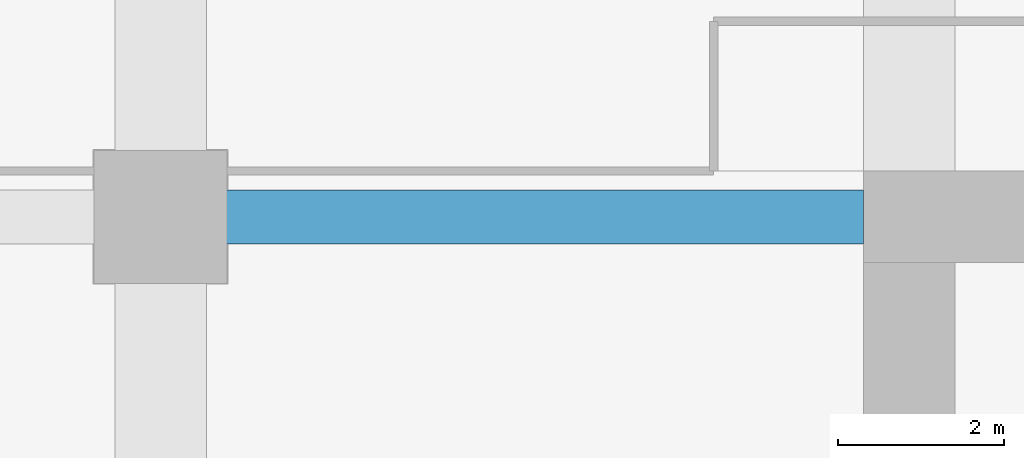
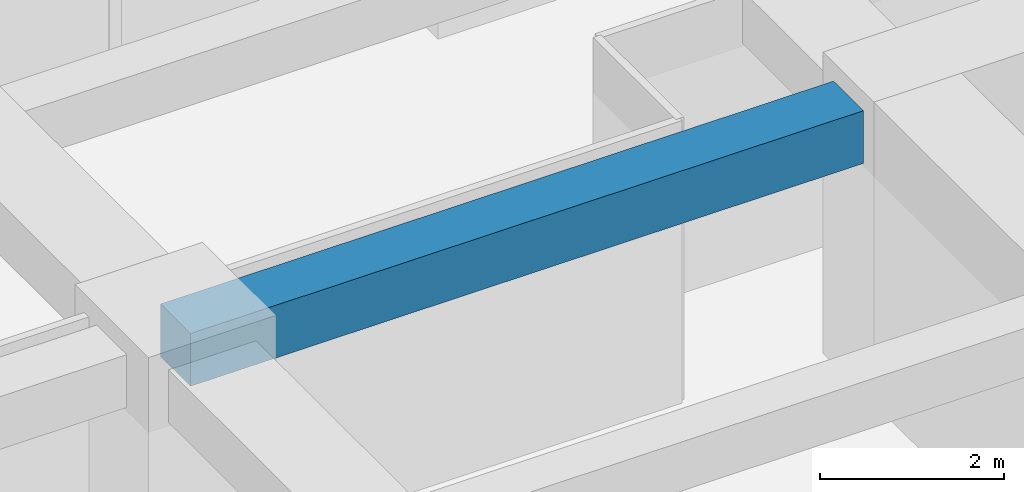
# One storey, part 21 of 34: 1 beam.
"""IFC4 building model written with IfcOpenShell, lengths in metres."""

from ifc_helpers import new_model, si_unit, direction, frame, origin, origin_2d, place, context, subcontext, project, spatial, rectangle, extrude, material, material_profile, profile_set, type_object, element, save


model = new_model("IFC4")

# Units and contexts
model_context = context("Model", 3, precision=1e-05, world=origin(), true_north=direction((0.0, 1.0)))
body_context = subcontext(model_context, "Body", "Model", "MODEL_VIEW")
ifc_project = project(units=[si_unit("LENGTHUNIT", "METRE"), si_unit("AREAUNIT", "SQUARE_METRE"), si_unit("VOLUMEUNIT", "CUBIC_METRE"), si_unit("PLANEANGLEUNIT", "RADIAN"), si_unit("MASSUNIT", "GRAM", prefix="KILO")], contexts=[model_context])

# Site, building, storey
site_placement = place(None, origin())
site = spatial("IfcSite", under=ifc_project, at=site_placement, CompositionType="ELEMENT")
building_placement = place(site_placement, origin())
building = spatial("IfcBuilding", under=site, at=building_placement, Name="Zorevar Civic Tower", CompositionType="ELEMENT")
storey_placement = place(building_placement, frame((0.0, 0.0, 174.199951171875)))
storey = spatial("IfcBuildingStorey", under=building, at=storey_placement, Name="L42", CompositionType="ELEMENT", Elevation=174.199951171875)

# Beam
ifc_material = material(Name="Concrete C50/60", Category="concrete")
ifc_material_profile = material_profile(ifc_material, rectangle(XDim=0.64990234375, YDim=0.699951171875, at=origin_2d()), Name="RC 650x700")
ifc_profile_set = profile_set([ifc_material_profile], Name="Concrete C50/60")
beam_type = type_object("IfcBeamType", Name="Beam RC 650x700", PredefinedType="BEAM", material=ifc_profile_set)
beam_placement = place(storey_placement, frame((9.0, 36.0, 3.400146484375), z_axis=(1.0, 0.0, 0.0), x_axis=(0.0, 1.0, 0.0)))
element("IfcBeam", 1, at=beam_placement, inside=storey, type_object=beam_type, Name="Girder L43", PredefinedType="BEAM", context=body_context, shape_type="SweptSolid", body=[
    extrude(rectangle(XDim=0.64990234375, YDim=0.699951171875, at=origin_2d()), origin(), (0.0, 0.0, 1.0), 8.449951171875),
])

save(model, "model.ifc")
